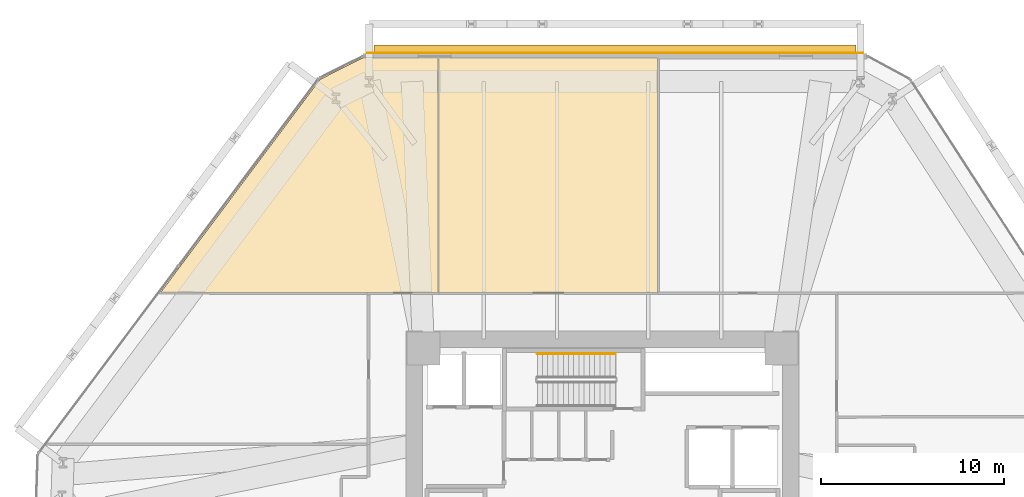
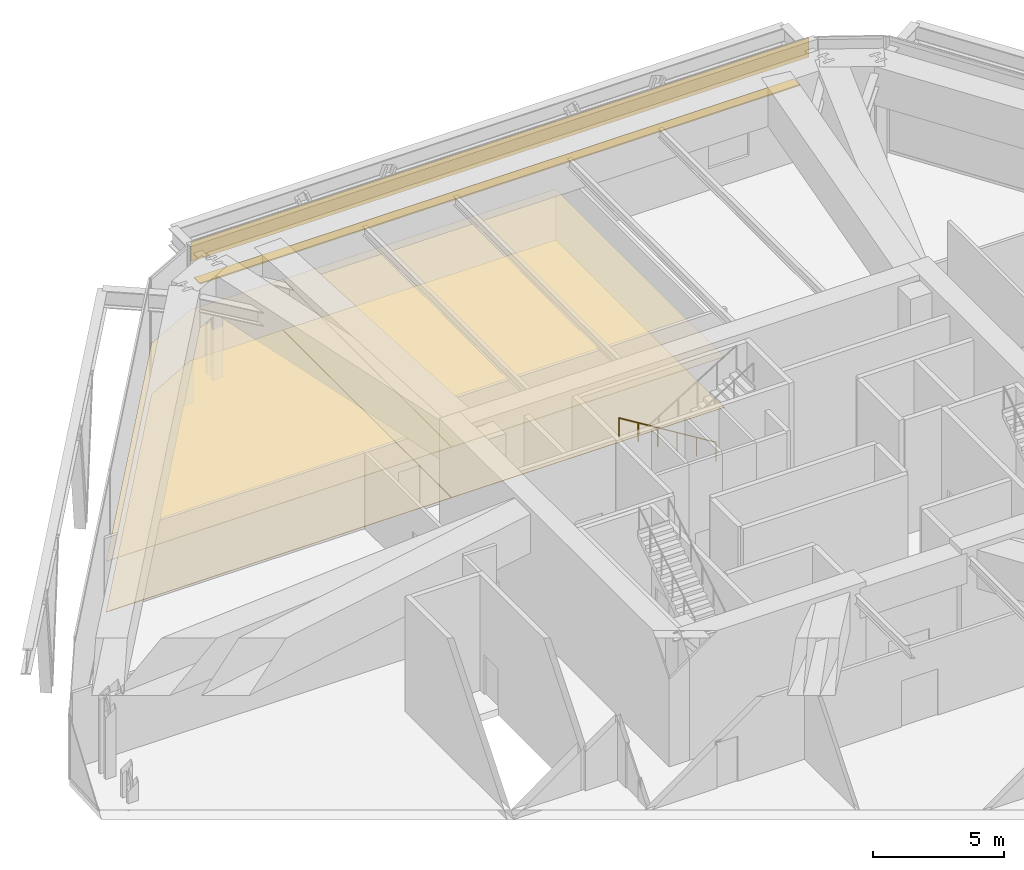
# One storey, part 19 of 19: 5 coverings, 1 railing, 1 shading device.
"""IFC4 building model written with IfcOpenShell, lengths in metres."""

from ifc_helpers import new_model, si_unit, direction, frame, origin, origin_2d, place, context, subcontext, project, spatial, polyline, rectangle, circle, outline, extrude, source, transform, mapped, material, layer, layer_set, type_object, type_shapes, element, save


model = new_model("IFC4")

# Units and contexts
model_context = context("Model", 3, precision=1e-05, world=origin(), true_north=direction((0.0, 1.0)))
body_context = subcontext(model_context, "Body", "Model", "MODEL_VIEW")
ifc_project = project(units=[si_unit("LENGTHUNIT", "METRE"), si_unit("AREAUNIT", "SQUARE_METRE"), si_unit("VOLUMEUNIT", "CUBIC_METRE"), si_unit("PLANEANGLEUNIT", "RADIAN"), si_unit("MASSUNIT", "GRAM", prefix="KILO")], contexts=[model_context])

# Site, building, storey
site_placement = place(None, origin())
site = spatial("IfcSite", under=ifc_project, at=site_placement, CompositionType="ELEMENT")
building_placement = place(site_placement, origin())
building = spatial("IfcBuilding", under=site, at=building_placement, Name="Durnholm Broadcast Tower", CompositionType="ELEMENT")
storey_placement = place(building_placement, frame((0.0, 0.0, 26.800048828125)))
storey = spatial("IfcBuildingStorey", under=building, at=storey_placement, Name="L05", CompositionType="ELEMENT", Elevation=26.800048828125)

# Coverings
ifc_material_1 = material(Name="Mineral Fiber Acoustic Ceiling Tile", Category="concrete")
ifc_layer_1 = layer(ifc_material_1, 0.02490234375)
ifc_layer_set_1 = layer_set([ifc_layer_1], Name="Mineral Fiber Acoustic Ceiling Tile")
covering_type_1 = type_object("IfcCoveringType", Name="COV-CEIL-AC", PredefinedType="CEILING", material=ifc_layer_set_1)
covering_1_placement = place(storey_placement, frame((0.0, 0.0, 2.349853515625)))
element("IfcCovering", 1, at=covering_1_placement, inside=storey, type_object=covering_type_1, Name="L05 Open Plan Broadcast Workspace 2 acoustic ceiling", PredefinedType="CEILING", context=body_context, shape_type="SweptSolid", body=[
    extrude(outline(polyline([(-9.0048828125, 23.715087890625), (-13.082763671875, 23.715087890625), (-15.461181640625, 22.5244140625), (-24.19384765625, 10.85498046875), (-9.0048828125, 10.85498046875), (-9.0048828125, 23.715087890625)])), origin(), (0.0, 0.0, 1.0), 0.025146484375),
])
covering_2_placement = place(storey_placement, frame((0.0, 0.0, 2.349853515625)))
element("IfcCovering", 2, at=covering_2_placement, inside=storey, type_object=covering_type_1, Name="L05 Orchestra Recording Hall 5A acoustic ceiling", PredefinedType="CEILING", context=body_context, shape_type="SweptSolid", body=[
    extrude(outline(polyline([(2.9951171875, 10.85498046875), (2.9951171875, 23.715087890625), (-8.9951171875, 23.715087890625), (-8.9951171875, 10.85498046875), (2.9951171875, 10.85498046875)])), origin(), (0.0, 0.0, 1.0), 0.025146484375),
])
ifc_material_2 = material(Name="Engineered Oak Acoustic Broadcast Flooring", Category="wood")
ifc_layer_2 = layer(ifc_material_2, 0.02001953125)
ifc_layer_set_2 = layer_set([ifc_layer_2], Name="Engineered Oak Acoustic Broadcast Flooring")
covering_type_2 = type_object("IfcCoveringType", Name="COV-FLR-OAK", PredefinedType="FLOORING", material=ifc_layer_set_2)
covering_3_placement = place(storey_placement, origin())
element("IfcCovering", 3, at=covering_3_placement, inside=storey, type_object=covering_type_2, Name="L05 Open Plan Broadcast Workspace 2 acoustic oak flooring", PredefinedType="FLOORING", context=body_context, shape_type="SweptSolid", body=[
    extrude(outline(polyline([(-9.0048828125, 23.715087890625), (-13.082763671875, 23.715087890625), (-15.461181640625, 22.5244140625), (-24.19384765625, 10.85498046875), (-9.0048828125, 10.85498046875), (-9.0048828125, 23.715087890625)])), origin(), (0.0, 0.0, 1.0), 0.02001953125),
])
covering_4_placement = place(storey_placement, origin())
element("IfcCovering", 4, at=covering_4_placement, inside=storey, type_object=covering_type_2, Name="L05 Orchestra Recording Hall 5A acoustic oak flooring", PredefinedType="FLOORING", context=body_context, shape_type="SweptSolid", body=[
    extrude(outline(polyline([(2.9951171875, 10.85498046875), (2.9951171875, 23.715087890625), (-8.9951171875, 23.715087890625), (-8.9951171875, 10.85498046875), (2.9951171875, 10.85498046875)])), origin(), (0.0, 0.0, 1.0), 0.02001953125),
])

# Railing
ifc_material_3 = material(Name="Brushed Stainless Steel Handrail", Category="steel")
railing_type = type_object("IfcRailingType", Name="RAIL-ST-HND", PredefinedType="HANDRAIL", material=ifc_material_3)
railing_placement = place(storey_placement, frame((0.699951171875, 7.510009765625, 0.349853515625)))
element("IfcRailing", 5, at=railing_placement, inside=storey, type_object=railing_type, Name="L05 ST-3 stair handrail 1", PredefinedType="HANDRAIL", context=body_context, shape_type="SweptSolid", body=[
    extrude(circle(Radius=0.02392578125, at=origin_2d()), frame((0.0, 0.0, 0.8759765625), z_axis=(-0.852165895541, 0.0, 0.523271713813), x_axis=(0.0, -1.0, 0.0)), (0.0, 0.0, 1.0), 5.0166015625),
    extrude(circle(Radius=0.02099609375, at=origin_2d()), origin(), (0.0, 0.0, 1.0), 0.851806640625),
    extrude(circle(Radius=0.02099609375, at=origin_2d()), frame((-0.85498046875, 0.0, 0.52490234375)), (0.0, 0.0, 1.0), 0.851806640625),
    extrude(circle(Radius=0.02099609375, at=origin_2d()), frame((-1.7099609375, 0.0, 1.050048828125)), (0.0, 0.0, 1.0), 0.851806640625),
    extrude(circle(Radius=0.02099609375, at=origin_2d()), frame((-2.56494140625, 0.0, 1.574951171875)), (0.0, 0.0, 1.0), 0.851806640625),
    extrude(circle(Radius=0.02099609375, at=origin_2d()), frame((-3.419921875, 0.0, 2.10009765625)), (0.0, 0.0, 1.0), 0.851806640625),
    extrude(circle(Radius=0.02099609375, at=origin_2d()), frame((-4.27490234375, 0.0, 2.625)), (0.0, 0.0, 1.0), 0.851806640625),
])

# Covering
ifc_material_4 = material(Name="Anodised Aluminium Spandrel Cladding", Category="aluminium")
ifc_layer_3 = layer(ifc_material_4, 0.0400390625)
ifc_layer_set_3 = layer_set([ifc_layer_3], Name="Anodised Aluminium Spandrel Cladding")
covering_type_3 = type_object("IfcCoveringType", Name="COV-EXT-CLAD", PredefinedType="CLADDING", material=ifc_layer_set_3)
shared_shape_1 = source(origin(), body_context, "Body", "SweptSolid", [
    extrude(rectangle(XDim=27.177978515625, YDim=0.0400390625, at=origin_2d()), origin(), (0.0, 0.0, 1.0), 0.89990234375),
])
type_shapes(covering_type_3, [shared_shape_1])
covering_5_placement = place(storey_placement, frame((0.68603515625, 23.969970703125, 4.409912109375), z_axis=(0.0, 0.0, 1.0), x_axis=(1.0, 0.0, 0.0)))
element("IfcCovering", 6, at=covering_5_placement, inside=storey, type_object=covering_type_3, Name="L05 podium spandrel metal cladding 04", PredefinedType="CLADDING", context=body_context, shape_type="MappedRepresentation", body=[
    mapped(shared_shape_1, transform((0.0, 0.0, 0.0), x_axis=(1.0, 0.0, 0.0), y_axis=(0.0, 1.0, 0.0), z_axis=(0.0, 0.0, 1.0), scale=1.0)),
])

# Shading device
ifc_material_5 = material(Name="Extruded Aluminium Sunshade Fin", Category="aluminium")
ifc_layer_4 = layer(ifc_material_5, 0.06005859375)
ifc_layer_set_4 = layer_set([ifc_layer_4], Name="Extruded Aluminium Sunshade Fin")
shading_device_type = type_object("IfcShadingDeviceType", Name="SHD-SUN-BLADE", PredefinedType="JALOUSIE", material=ifc_layer_set_4)
shared_shape_2 = source(origin(), body_context, "Body", "SweptSolid", [
    extrude(rectangle(XDim=26.3779296875, YDim=0.449951171875, at=origin_2d()), origin(), (0.0, 0.0, 1.0), 0.06005859375),
])
type_shapes(shading_device_type, [shared_shape_2])
shading_device_placement = place(storey_placement, frame((0.68603515625, 24.169921875, 3.219970703125), z_axis=(0.0, 0.0, 1.0), x_axis=(1.0, 0.0, 0.0)))
element("IfcShadingDevice", 7, at=shading_device_placement, inside=storey, type_object=shading_device_type, Name="L05 studio horizontal solar sunshade 04", PredefinedType="JALOUSIE", context=body_context, shape_type="MappedRepresentation", body=[
    mapped(shared_shape_2, transform((0.0, 0.0, 0.0), x_axis=(1.0, 0.0, 0.0), y_axis=(0.0, 1.0, 0.0), z_axis=(0.0, 0.0, 1.0), scale=1.0)),
])

save(model, "model.ifc")
